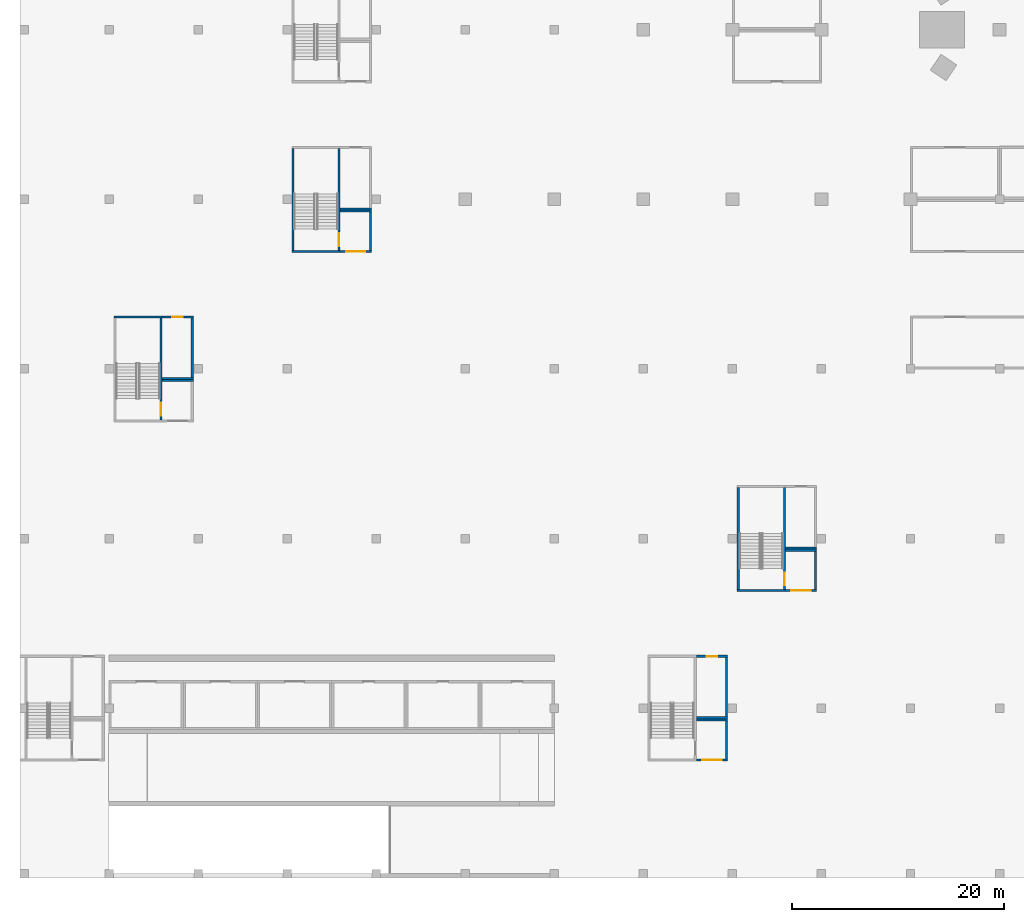
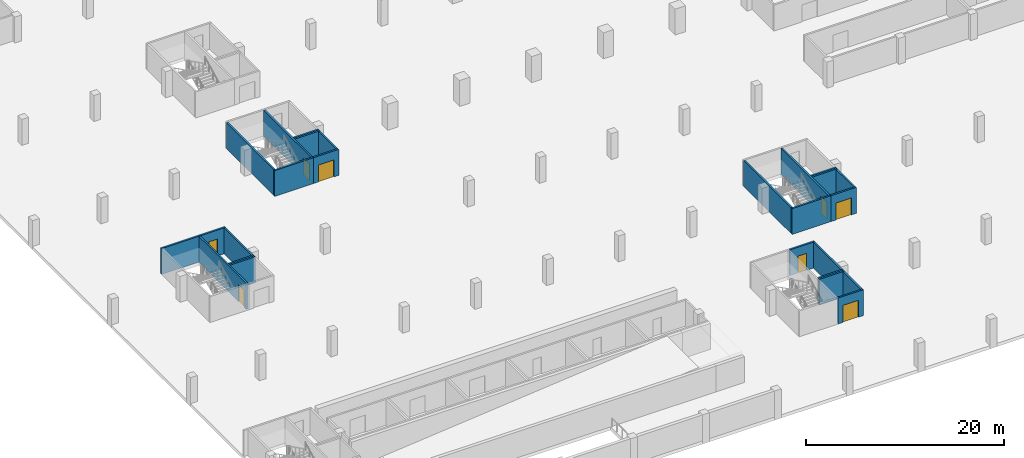
# One storey, part 5 of 37: 26 walls, 8 doors, 8 openings.
"""IFC4 building model written with IfcOpenShell, lengths in metres."""

from ifc_helpers import new_model, si_unit, direction, frame, frame_2d, origin, place, context, subcontext, project, spatial, rectangle, extrude, material, layer, layer_set, type_object, element, fill, save


model = new_model("IFC4")

# Units and contexts
model_context = context("Model", 3, precision=1e-05, world=origin(), true_north=direction((0.0, 1.0)))
body_context = subcontext(model_context, "Body", "Model", "MODEL_VIEW")
ifc_project = project(units=[si_unit("LENGTHUNIT", "METRE"), si_unit("AREAUNIT", "SQUARE_METRE"), si_unit("VOLUMEUNIT", "CUBIC_METRE"), si_unit("PLANEANGLEUNIT", "RADIAN"), si_unit("MASSUNIT", "GRAM", prefix="KILO")], contexts=[model_context])

# Site, building, storey
site_placement = place(None, origin())
site = spatial("IfcSite", under=ifc_project, at=site_placement, CompositionType="ELEMENT")
building_placement = place(site_placement, origin())
building = spatial("IfcBuilding", under=site, at=building_placement, Name="Tamra Quay Hotel Tower", CompositionType="ELEMENT")
storey_placement = place(building_placement, frame((0.0, 0.0, -7.199951171875)))
storey = spatial("IfcBuildingStorey", under=building, at=storey_placement, Name="B2", CompositionType="ELEMENT", Elevation=-7.199951171875)

# Walls
ifc_material_1 = material(Name="Blockwork", Category="masonry")
ifc_layer_1 = layer(ifc_material_1, 0.199951171875)
ifc_layer_set_1 = layer_set([ifc_layer_1], Name="Car park room wall 200")
wall_type_1 = type_object("IfcWallType", Name="Car park room wall 200", PredefinedType="PARTITIONING", material=ifc_layer_set_1)
for number, where, z_axis, x_axis, name in (
    (1, (-109.300048828125, -33.10009765625, 0.0), (0.0, 0.0, 1.0), (1.0, 0.0, 0.0), "PW"),
    (2, (-109.300048828125, -32.89990234375, 0.0), (0.0, 0.0, 1.0), (1.0, 0.0, 0.0), "PW"),
):
    element("IfcWall", number, at=place(storey_placement, frame(where, z_axis=z_axis, x_axis=x_axis)), inside=storey, type_object=wall_type_1, Name=name, PredefinedType="PARTITIONING", context=body_context, shape_type="SweptSolid", body=[
        extrude(rectangle(XDim=2.949951171875, YDim=0.199951171875, at=frame_2d((1.47509765625, 0.0))), origin(), (0.0, 0.0, 1.0), 3.199951171875),
    ])

# Wall, opening, door
wall_1_placement = place(storey_placement, frame((-109.300048828125, -27.10009765625, 0.0), z_axis=(0.0, 0.0, 1.0), x_axis=(1.0, 0.0, 0.0)))
wall_1 = element("IfcWall", 3, at=wall_1_placement, inside=storey, type_object=wall_type_1, Name="PW", PredefinedType="PARTITIONING", context=body_context, shape_type="SweptSolid", body=[
    extrude(rectangle(XDim=2.949951171875, YDim=0.199951171875, at=frame_2d((1.47509765625, 0.0))), origin(), (0.0, 0.0, 1.0), 3.199951171875),
])
opening_1_placement = place(wall_1_placement, frame((0.97509765625, 0.0, 0.0)))
opening_1 = element("IfcOpeningElement", 4, at=opening_1_placement, cuts=wall_1, Name="Opening PD1", PredefinedType="OPENING", context=body_context, shape_type="SweptSolid", body=[
    extrude(rectangle(XDim=1.0, YDim=2.10009765625, at=frame_2d((0.5, 1.050048828125))), frame((0.0, 0.10986328125, 0.0), z_axis=(0.0, -1.0, 0.0), x_axis=(1.0, 0.0, 0.0)), (0.0, 0.0, 1.0), 0.219970703125),
])
ifc_material_2 = material(Name="Car park door 1000 x 2100")
door_type_1 = type_object("IfcDoorType", Name="Car park door 1000 x 2100", OperationType="NOTDEFINED", PredefinedType="DOOR", material=ifc_material_2)
door_1_placement = place(opening_1_placement, origin())
door_1 = element("IfcDoor", 5, at=door_1_placement, inside=storey, type_object=door_type_1, Name="PD1", OperationType="SINGLE_SWING_LEFT", OverallHeight=2.10009765625, OverallWidth=1.0, PredefinedType="DOOR", context=body_context, shape_type="SweptSolid", body=[
    extrude(rectangle(XDim=1.0, YDim=2.10009765625, at=frame_2d((0.5, 1.050048828125))), frame((0.0, 0.02490234375, 0.0), z_axis=(0.0, -1.0, 0.0), x_axis=(1.0, 0.0, 0.0)), (0.0, 0.0, 1.0), 0.050048828125),
])
fill(opening_1, door_1)

# Wall
wall_2_placement = place(storey_placement, frame((-106.449951171875, -32.800048828125, 0.0), z_axis=(0.0, 0.0, 1.0), x_axis=(0.0, 1.0, 0.0)))
element("IfcWall", 6, at=wall_2_placement, inside=storey, type_object=wall_type_1, Name="PW", PredefinedType="PARTITIONING", context=body_context, shape_type="SweptSolid", body=[
    extrude(rectangle(XDim=5.60009765625, YDim=0.199951171875, at=frame_2d((2.800048828125, 0.0))), origin(), (0.0, 0.0, 1.0), 3.199951171875),
])

# Wall, opening, door
wall_3_placement = place(storey_placement, frame((-92.5, -20.89990234375, 0.0), z_axis=(0.0, 0.0, 1.0), x_axis=(1.0, 0.0, 0.0)))
wall_3 = element("IfcWall", 7, at=wall_3_placement, inside=storey, type_object=wall_type_1, Name="PW", PredefinedType="PARTITIONING", context=body_context, shape_type="SweptSolid", body=[
    extrude(rectangle(XDim=2.949951171875, YDim=0.199951171875, at=frame_2d((1.47509765625, 0.0))), origin(), (0.0, 0.0, 1.0), 3.199951171875),
])
opening_2_placement = place(wall_3_placement, frame((0.574951171875, 0.0, 0.0)))
opening_2 = element("IfcOpeningElement", 8, at=opening_2_placement, cuts=wall_3, Name="Opening PD2", PredefinedType="OPENING", context=body_context, shape_type="SweptSolid", body=[
    extrude(rectangle(XDim=1.800048828125, YDim=2.10009765625, at=frame_2d((0.89990234375, 1.050048828125))), frame((0.0, 0.10986328125, 0.0), z_axis=(0.0, -1.0, 0.0), x_axis=(1.0, 0.0, 0.0)), (0.0, 0.0, 1.0), 0.219970703125),
])
ifc_material_3 = material(Name="Plant door 1800 x 2100")
door_type_2 = type_object("IfcDoorType", Name="Plant door 1800 x 2100", OperationType="DOUBLE_DOOR_SINGLE_SWING", PredefinedType="DOOR", material=ifc_material_3)
door_2_placement = place(opening_2_placement, origin())
door_2 = element("IfcDoor", 9, at=door_2_placement, inside=storey, type_object=door_type_2, Name="PD2", OperationType="DOUBLE_DOOR_SINGLE_SWING", OverallHeight=2.10009765625, OverallWidth=1.800048828125, PredefinedType="DOOR", context=body_context, shape_type="SweptSolid", body=[
    extrude(rectangle(XDim=1.800048828125, YDim=2.10009765625, at=frame_2d((0.89990234375, 1.050048828125))), frame((0.0, 0.02490234375, 0.0), z_axis=(0.0, -1.0, 0.0), x_axis=(1.0, 0.0, 0.0)), (0.0, 0.0, 1.0), 0.050048828125),
])
fill(opening_2, door_2)

# Walls
wall_4_placement = place(storey_placement, frame((-92.5, -17.10009765625, 0.0), z_axis=(0.0, 0.0, 1.0), x_axis=(1.0, 0.0, 0.0)))
element("IfcWall", 10, at=wall_4_placement, inside=storey, type_object=wall_type_1, Name="PW", PredefinedType="PARTITIONING", context=body_context, shape_type="SweptSolid", body=[
    extrude(rectangle(XDim=2.949951171875, YDim=0.199951171875, at=frame_2d((1.47509765625, 0.0))), origin(), (0.0, 0.0, 1.0), 3.199951171875),
])
wall_5_placement = place(storey_placement, frame((-89.64990234375, -20.800048828125, 0.0), z_axis=(0.0, 0.0, 1.0), x_axis=(0.0, 1.0, 0.0)))
element("IfcWall", 11, at=wall_5_placement, inside=storey, type_object=wall_type_1, Name="PW", PredefinedType="PARTITIONING", context=body_context, shape_type="SweptSolid", body=[
    extrude(rectangle(XDim=3.60009765625, YDim=0.199951171875, at=frame_2d((1.800048828125, 0.0))), origin(), (0.0, 0.0, 1.0), 3.199951171875),
])
wall_6_placement = place(storey_placement, frame((-92.5, -16.89990234375, 0.0), z_axis=(0.0, 0.0, 1.0), x_axis=(1.0, 0.0, 0.0)))
element("IfcWall", 12, at=wall_6_placement, inside=storey, type_object=wall_type_1, Name="PW", PredefinedType="PARTITIONING", context=body_context, shape_type="SweptSolid", body=[
    extrude(rectangle(XDim=2.949951171875, YDim=0.199951171875, at=frame_2d((1.47509765625, 0.0))), origin(), (0.0, 0.0, 1.0), 3.199951171875),
])

# Wall, opening, door
wall_7_placement = place(storey_placement, frame((-58.89990234375, -68.89990234375, 0.0), z_axis=(0.0, 0.0, 1.0), x_axis=(1.0, 0.0, 0.0)))
wall_7 = element("IfcWall", 13, at=wall_7_placement, inside=storey, type_object=wall_type_1, Name="PW", PredefinedType="PARTITIONING", context=body_context, shape_type="SweptSolid", body=[
    extrude(rectangle(XDim=2.949951171875, YDim=0.199951171875, at=frame_2d((1.47509765625, 0.0))), origin(), (0.0, 0.0, 1.0), 3.199951171875),
])
opening_3_placement = place(wall_7_placement, frame((0.574951171875, 0.0, 0.0)))
opening_3 = element("IfcOpeningElement", 14, at=opening_3_placement, cuts=wall_7, Name="Opening PD2", PredefinedType="OPENING", context=body_context, shape_type="SweptSolid", body=[
    extrude(rectangle(XDim=1.800048828125, YDim=2.10009765625, at=frame_2d((0.89990234375, 1.050048828125))), frame((0.0, 0.10986328125, 0.0), z_axis=(0.0, -1.0, 0.0), x_axis=(1.0, 0.0, 0.0)), (0.0, 0.0, 1.0), 0.219970703125),
])
door_3_placement = place(opening_3_placement, origin())
door_3 = element("IfcDoor", 15, at=door_3_placement, inside=storey, type_object=door_type_2, Name="PD2", OperationType="DOUBLE_DOOR_SINGLE_SWING", OverallHeight=2.10009765625, OverallWidth=1.800048828125, PredefinedType="DOOR", context=body_context, shape_type="SweptSolid", body=[
    extrude(rectangle(XDim=1.800048828125, YDim=2.10009765625, at=frame_2d((0.89990234375, 1.050048828125))), frame((0.0, 0.02490234375, 0.0), z_axis=(0.0, -1.0, 0.0), x_axis=(1.0, 0.0, 0.0)), (0.0, 0.0, 1.0), 0.050048828125),
])
fill(opening_3, door_3)

# Walls
wall_8_placement = place(storey_placement, frame((-58.89990234375, -65.10009765625, 0.0), z_axis=(0.0, 0.0, 1.0), x_axis=(1.0, 0.0, 0.0)))
element("IfcWall", 16, at=wall_8_placement, inside=storey, type_object=wall_type_1, Name="PW", PredefinedType="PARTITIONING", context=body_context, shape_type="SweptSolid", body=[
    extrude(rectangle(XDim=2.949951171875, YDim=0.199951171875, at=frame_2d((1.47509765625, 0.0))), origin(), (0.0, 0.0, 1.0), 3.199951171875),
])
wall_9_placement = place(storey_placement, frame((-56.050048828125, -68.800048828125, 0.0), z_axis=(0.0, 0.0, 1.0), x_axis=(0.0, 1.0, 0.0)))
element("IfcWall", 17, at=wall_9_placement, inside=storey, type_object=wall_type_1, Name="PW", PredefinedType="PARTITIONING", context=body_context, shape_type="SweptSolid", body=[
    extrude(rectangle(XDim=3.60009765625, YDim=0.199951171875, at=frame_2d((1.800048828125, 0.0))), origin(), (0.0, 0.0, 1.0), 3.199951171875),
])
wall_10_placement = place(storey_placement, frame((-58.89990234375, -64.89990234375, 0.0), z_axis=(0.0, 0.0, 1.0), x_axis=(1.0, 0.0, 0.0)))
element("IfcWall", 18, at=wall_10_placement, inside=storey, type_object=wall_type_1, Name="PW", PredefinedType="PARTITIONING", context=body_context, shape_type="SweptSolid", body=[
    extrude(rectangle(XDim=2.949951171875, YDim=0.199951171875, at=frame_2d((1.47509765625, 0.0))), origin(), (0.0, 0.0, 1.0), 3.199951171875),
])

# Wall, opening, door
wall_11_placement = place(storey_placement, frame((-58.89990234375, -59.10009765625, 0.0), z_axis=(0.0, 0.0, 1.0), x_axis=(1.0, 0.0, 0.0)))
wall_11 = element("IfcWall", 19, at=wall_11_placement, inside=storey, type_object=wall_type_1, Name="PW", PredefinedType="PARTITIONING", context=body_context, shape_type="SweptSolid", body=[
    extrude(rectangle(XDim=2.949951171875, YDim=0.199951171875, at=frame_2d((1.47509765625, 0.0))), origin(), (0.0, 0.0, 1.0), 3.199951171875),
])
opening_4_placement = place(wall_11_placement, frame((0.97509765625, 0.0, 0.0)))
opening_4 = element("IfcOpeningElement", 20, at=opening_4_placement, cuts=wall_11, Name="Opening PD1", PredefinedType="OPENING", context=body_context, shape_type="SweptSolid", body=[
    extrude(rectangle(XDim=1.0, YDim=2.10009765625, at=frame_2d((0.5, 1.050048828125))), frame((0.0, 0.10986328125, 0.0), z_axis=(0.0, -1.0, 0.0), x_axis=(1.0, 0.0, 0.0)), (0.0, 0.0, 1.0), 0.219970703125),
])
door_4_placement = place(opening_4_placement, origin())
door_4 = element("IfcDoor", 21, at=door_4_placement, inside=storey, type_object=door_type_1, Name="PD1", OperationType="SINGLE_SWING_LEFT", OverallHeight=2.10009765625, OverallWidth=1.0, PredefinedType="DOOR", context=body_context, shape_type="SweptSolid", body=[
    extrude(rectangle(XDim=1.0, YDim=2.10009765625, at=frame_2d((0.5, 1.050048828125))), frame((0.0, 0.02490234375, 0.0), z_axis=(0.0, -1.0, 0.0), x_axis=(1.0, 0.0, 0.0)), (0.0, 0.0, 1.0), 0.050048828125),
])
fill(opening_4, door_4)

# Wall
wall_12_placement = place(storey_placement, frame((-56.050048828125, -64.800048828125, 0.0), z_axis=(0.0, 0.0, 1.0), x_axis=(0.0, 1.0, 0.0)))
element("IfcWall", 22, at=wall_12_placement, inside=storey, type_object=wall_type_1, Name="PW", PredefinedType="PARTITIONING", context=body_context, shape_type="SweptSolid", body=[
    extrude(rectangle(XDim=5.60009765625, YDim=0.199951171875, at=frame_2d((2.800048828125, 0.0))), origin(), (0.0, 0.0, 1.0), 3.199951171875),
])

# Wall, opening, door
wall_13_placement = place(storey_placement, frame((-50.5, -52.89990234375, 0.0), z_axis=(0.0, 0.0, 1.0), x_axis=(1.0, 0.0, 0.0)))
wall_13 = element("IfcWall", 23, at=wall_13_placement, inside=storey, type_object=wall_type_1, Name="PW", PredefinedType="PARTITIONING", context=body_context, shape_type="SweptSolid", body=[
    extrude(rectangle(XDim=2.949951171875, YDim=0.199951171875, at=frame_2d((1.47509765625, 0.0))), origin(), (0.0, 0.0, 1.0), 3.199951171875),
])
opening_5_placement = place(wall_13_placement, frame((0.574951171875, 0.0, 0.0)))
opening_5 = element("IfcOpeningElement", 24, at=opening_5_placement, cuts=wall_13, Name="Opening PD2", PredefinedType="OPENING", context=body_context, shape_type="SweptSolid", body=[
    extrude(rectangle(XDim=1.800048828125, YDim=2.10009765625, at=frame_2d((0.89990234375, 1.050048828125))), frame((0.0, 0.10986328125, 0.0), z_axis=(0.0, -1.0, 0.0), x_axis=(1.0, 0.0, 0.0)), (0.0, 0.0, 1.0), 0.219970703125),
])
door_5_placement = place(opening_5_placement, origin())
door_5 = element("IfcDoor", 25, at=door_5_placement, inside=storey, type_object=door_type_2, Name="PD2", OperationType="DOUBLE_DOOR_SINGLE_SWING", OverallHeight=2.10009765625, OverallWidth=1.800048828125, PredefinedType="DOOR", context=body_context, shape_type="SweptSolid", body=[
    extrude(rectangle(XDim=1.800048828125, YDim=2.10009765625, at=frame_2d((0.89990234375, 1.050048828125))), frame((0.0, 0.02490234375, 0.0), z_axis=(0.0, -1.0, 0.0), x_axis=(1.0, 0.0, 0.0)), (0.0, 0.0, 1.0), 0.050048828125),
])
fill(opening_5, door_5)

# Walls
wall_14_placement = place(storey_placement, frame((-50.5, -49.10009765625, 0.0), z_axis=(0.0, 0.0, 1.0), x_axis=(1.0, 0.0, 0.0)))
element("IfcWall", 26, at=wall_14_placement, inside=storey, type_object=wall_type_1, Name="PW", PredefinedType="PARTITIONING", context=body_context, shape_type="SweptSolid", body=[
    extrude(rectangle(XDim=2.949951171875, YDim=0.199951171875, at=frame_2d((1.47509765625, 0.0))), origin(), (0.0, 0.0, 1.0), 3.199951171875),
])
wall_15_placement = place(storey_placement, frame((-47.64990234375, -52.800048828125, 0.0), z_axis=(0.0, 0.0, 1.0), x_axis=(0.0, 1.0, 0.0)))
element("IfcWall", 27, at=wall_15_placement, inside=storey, type_object=wall_type_1, Name="PW", PredefinedType="PARTITIONING", context=body_context, shape_type="SweptSolid", body=[
    extrude(rectangle(XDim=3.60009765625, YDim=0.199951171875, at=frame_2d((1.800048828125, 0.0))), origin(), (0.0, 0.0, 1.0), 3.199951171875),
])
wall_16_placement = place(storey_placement, frame((-50.5, -48.89990234375, 0.0), z_axis=(0.0, 0.0, 1.0), x_axis=(1.0, 0.0, 0.0)))
element("IfcWall", 28, at=wall_16_placement, inside=storey, type_object=wall_type_1, Name="PW", PredefinedType="PARTITIONING", context=body_context, shape_type="SweptSolid", body=[
    extrude(rectangle(XDim=2.949951171875, YDim=0.199951171875, at=frame_2d((1.47509765625, 0.0))), origin(), (0.0, 0.0, 1.0), 3.199951171875),
])

# Wall, opening, door
ifc_material_4 = material(Name="Concrete M70", Category="concrete")
ifc_layer_2 = layer(ifc_material_4, 0.199951171875)
ifc_layer_set_2 = layer_set([ifc_layer_2], Name="Concrete M70 stair enclosure wall 200")
wall_type_2 = type_object("IfcWallType", Name="Concrete M70 stair enclosure wall 200", PredefinedType="SOLIDWALL", material=ifc_layer_set_2)
wall_17_placement = place(storey_placement, frame((-109.39990234375, -36.800048828125, 0.0), z_axis=(0.0, 0.0, 1.0), x_axis=(0.0, 1.0, 0.0)))
wall_17 = element("IfcWall", 29, at=wall_17_placement, inside=storey, type_object=wall_type_2, Name="SEW", PredefinedType="SOLIDWALL", context=body_context, shape_type="SweptSolid", body=[
    extrude(rectangle(XDim=9.60009765625, YDim=0.199951171875, at=frame_2d((4.800048828125, 0.0))), origin(), (0.0, 0.0, 1.0), 3.199951171875),
])
opening_6_placement = place(wall_17_placement, frame((0.39990234375, 0.0, 0.0)))
opening_6 = element("IfcOpeningElement", 30, at=opening_6_placement, cuts=wall_17, Name="Opening SD1", PredefinedType="OPENING", context=body_context, shape_type="SweptSolid", body=[
    extrude(rectangle(XDim=1.199951171875, YDim=2.10009765625, at=frame_2d((0.60009765625, 1.050048828125))), frame((0.0, 0.10986328125, 0.0), z_axis=(0.0, -1.0, 0.0), x_axis=(1.0, 0.0, 0.0)), (0.0, 0.0, 1.0), 0.219970703125),
])
ifc_material_5 = material(Name="Stair door 1200 x 2100")
door_type_3 = type_object("IfcDoorType", Name="Stair door 1200 x 2100", OperationType="NOTDEFINED", PredefinedType="DOOR", material=ifc_material_5)
door_6_placement = place(opening_6_placement, origin())
door_6 = element("IfcDoor", 31, at=door_6_placement, inside=storey, type_object=door_type_3, Name="SD1", OperationType="SINGLE_SWING_LEFT", OverallHeight=2.10009765625, OverallWidth=1.199951171875, PredefinedType="DOOR", context=body_context, shape_type="SweptSolid", body=[
    extrude(rectangle(XDim=1.199951171875, YDim=2.10009765625, at=frame_2d((0.60009765625, 1.050048828125))), frame((0.0, 0.02490234375, 0.0), z_axis=(0.0, -1.0, 0.0), x_axis=(1.0, 0.0, 0.0)), (0.0, 0.0, 1.0), 0.050048828125),
])
fill(opening_6, door_6)

# Walls
wall_18_placement = place(storey_placement, frame((-113.85009765625, -27.10009765625, 0.0), z_axis=(0.0, 0.0, 1.0), x_axis=(1.0, 0.0, 0.0)))
element("IfcWall", 32, at=wall_18_placement, inside=storey, type_object=wall_type_2, Name="SEW", PredefinedType="SOLIDWALL", context=body_context, shape_type="SweptSolid", body=[
    extrude(rectangle(XDim=4.550048828125, YDim=0.199951171875, at=frame_2d((2.27490234375, 0.0))), origin(), (0.0, 0.0, 1.0), 3.199951171875),
])
wall_19_placement = place(storey_placement, frame((-96.949951171875, -20.800048828125, 0.0), z_axis=(0.0, 0.0, 1.0), x_axis=(0.0, 1.0, 0.0)))
element("IfcWall", 33, at=wall_19_placement, inside=storey, type_object=wall_type_2, Name="SEW", PredefinedType="SOLIDWALL", context=body_context, shape_type="SweptSolid", body=[
    extrude(rectangle(XDim=9.60009765625, YDim=0.199951171875, at=frame_2d((4.800048828125, 0.0))), origin(), (0.0, 0.0, 1.0), 3.199951171875),
])

# Wall, opening, door
wall_20_placement = place(storey_placement, frame((-92.60009765625, -20.800048828125, 0.0), z_axis=(0.0, 0.0, 1.0), x_axis=(0.0, 1.0, 0.0)))
wall_20 = element("IfcWall", 34, at=wall_20_placement, inside=storey, type_object=wall_type_2, Name="SEW", PredefinedType="SOLIDWALL", context=body_context, shape_type="SweptSolid", body=[
    extrude(rectangle(XDim=9.60009765625, YDim=0.199951171875, at=frame_2d((4.800048828125, 0.0))), origin(), (0.0, 0.0, 1.0), 3.199951171875),
])
opening_7_placement = place(wall_20_placement, frame((0.39990234375, 0.0, 0.0)))
opening_7 = element("IfcOpeningElement", 35, at=opening_7_placement, cuts=wall_20, Name="Opening SD1", PredefinedType="OPENING", context=body_context, shape_type="SweptSolid", body=[
    extrude(rectangle(XDim=1.199951171875, YDim=2.10009765625, at=frame_2d((0.60009765625, 1.050048828125))), frame((0.0, 0.10986328125, 0.0), z_axis=(0.0, -1.0, 0.0), x_axis=(1.0, 0.0, 0.0)), (0.0, 0.0, 1.0), 0.219970703125),
])
door_7_placement = place(opening_7_placement, origin())
door_7 = element("IfcDoor", 36, at=door_7_placement, inside=storey, type_object=door_type_3, Name="SD1", OperationType="SINGLE_SWING_LEFT", OverallHeight=2.10009765625, OverallWidth=1.199951171875, PredefinedType="DOOR", context=body_context, shape_type="SweptSolid", body=[
    extrude(rectangle(XDim=1.199951171875, YDim=2.10009765625, at=frame_2d((0.60009765625, 1.050048828125))), frame((0.0, 0.02490234375, 0.0), z_axis=(0.0, -1.0, 0.0), x_axis=(1.0, 0.0, 0.0)), (0.0, 0.0, 1.0), 0.050048828125),
])
fill(opening_7, door_7)

# Walls
wall_21_placement = place(storey_placement, frame((-92.5, -20.89990234375, 0.0), z_axis=(0.0, 0.0, 1.0), x_axis=(-1.0, 0.0, 0.0)))
element("IfcWall", 37, at=wall_21_placement, inside=storey, type_object=wall_type_2, Name="SEW", PredefinedType="SOLIDWALL", context=body_context, shape_type="SweptSolid", body=[
    extrude(rectangle(XDim=4.550048828125, YDim=0.199951171875, at=frame_2d((2.27490234375, 0.0))), origin(), (0.0, 0.0, 1.0), 3.199951171875),
])
wall_22_placement = place(storey_placement, frame((-54.949951171875, -52.800048828125, 0.0), z_axis=(0.0, 0.0, 1.0), x_axis=(0.0, 1.0, 0.0)))
element("IfcWall", 38, at=wall_22_placement, inside=storey, type_object=wall_type_2, Name="SEW", PredefinedType="SOLIDWALL", context=body_context, shape_type="SweptSolid", body=[
    extrude(rectangle(XDim=9.60009765625, YDim=0.199951171875, at=frame_2d((4.800048828125, 0.0))), origin(), (0.0, 0.0, 1.0), 3.199951171875),
])

# Wall, opening, door
wall_23_placement = place(storey_placement, frame((-50.60009765625, -52.800048828125, 0.0), z_axis=(0.0, 0.0, 1.0), x_axis=(0.0, 1.0, 0.0)))
wall_23 = element("IfcWall", 39, at=wall_23_placement, inside=storey, type_object=wall_type_2, Name="SEW", PredefinedType="SOLIDWALL", context=body_context, shape_type="SweptSolid", body=[
    extrude(rectangle(XDim=9.60009765625, YDim=0.199951171875, at=frame_2d((4.800048828125, 0.0))), origin(), (0.0, 0.0, 1.0), 3.199951171875),
])
opening_8_placement = place(wall_23_placement, frame((0.39990234375, 0.0, 0.0)))
opening_8 = element("IfcOpeningElement", 40, at=opening_8_placement, cuts=wall_23, Name="Opening SD1", PredefinedType="OPENING", context=body_context, shape_type="SweptSolid", body=[
    extrude(rectangle(XDim=1.199951171875, YDim=2.10009765625, at=frame_2d((0.60009765625, 1.050048828125))), frame((0.0, 0.10986328125, 0.0), z_axis=(0.0, -1.0, 0.0), x_axis=(1.0, 0.0, 0.0)), (0.0, 0.0, 1.0), 0.219970703125),
])
door_8_placement = place(opening_8_placement, origin())
door_8 = element("IfcDoor", 41, at=door_8_placement, inside=storey, type_object=door_type_3, Name="SD1", OperationType="SINGLE_SWING_LEFT", OverallHeight=2.10009765625, OverallWidth=1.199951171875, PredefinedType="DOOR", context=body_context, shape_type="SweptSolid", body=[
    extrude(rectangle(XDim=1.199951171875, YDim=2.10009765625, at=frame_2d((0.60009765625, 1.050048828125))), frame((0.0, 0.02490234375, 0.0), z_axis=(0.0, -1.0, 0.0), x_axis=(1.0, 0.0, 0.0)), (0.0, 0.0, 1.0), 0.050048828125),
])
fill(opening_8, door_8)

# Wall
wall_24_placement = place(storey_placement, frame((-50.5, -52.89990234375, 0.0), z_axis=(0.0, 0.0, 1.0), x_axis=(-1.0, 0.0, 0.0)))
element("IfcWall", 42, at=wall_24_placement, inside=storey, type_object=wall_type_2, Name="SEW", PredefinedType="SOLIDWALL", context=body_context, shape_type="SweptSolid", body=[
    extrude(rectangle(XDim=4.550048828125, YDim=0.199951171875, at=frame_2d((2.27490234375, 0.0))), origin(), (0.0, 0.0, 1.0), 3.199951171875),
])

save(model, "model.ifc")
